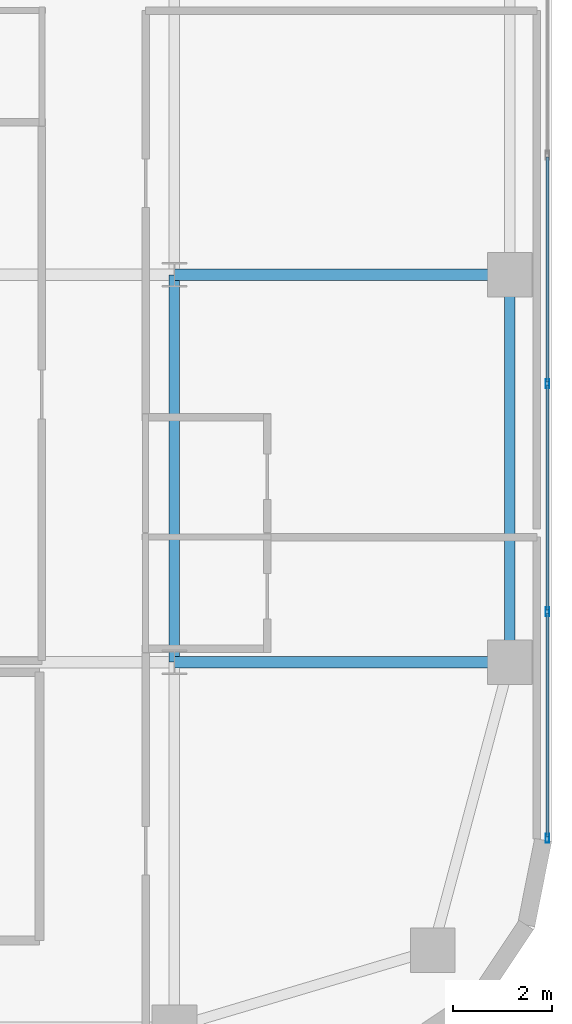
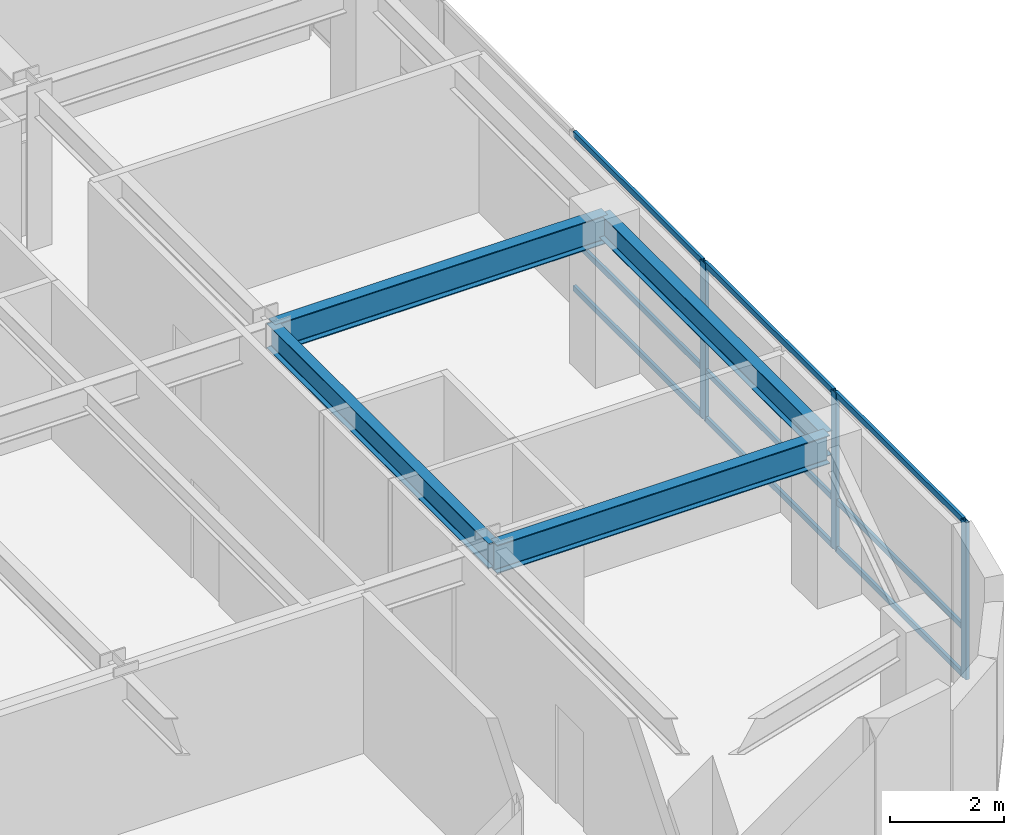
# One storey, part 9 of 25: 12 members, 4 beams, 1 element without a shape of its own.
"""IFC4 building model written with IfcOpenShell, lengths in metres."""

from ifc_helpers import new_model, si_unit, direction, frame, origin, origin_2d, place, context, subcontext, project, spatial, hollow_rectangle, i_section, extrude, source, transform, mapped, material, layer, layer_set, material_profile, profile_set, type_object, type_shapes, element, aggregate, save


model = new_model("IFC4")

# Units and contexts
model_context = context("Model", 3, precision=1e-05, world=origin(), true_north=direction((0.0, 1.0)))
body_context = subcontext(model_context, "Body", "Model", "MODEL_VIEW")
ifc_project = project(units=[si_unit("LENGTHUNIT", "METRE"), si_unit("AREAUNIT", "SQUARE_METRE"), si_unit("VOLUMEUNIT", "CUBIC_METRE"), si_unit("PLANEANGLEUNIT", "RADIAN"), si_unit("MASSUNIT", "GRAM", prefix="KILO")], contexts=[model_context])

# Site, building, storey
site_placement = place(None, origin())
site = spatial("IfcSite", under=ifc_project, at=site_placement, CompositionType="ELEMENT")
building_placement = place(site_placement, origin())
building = spatial("IfcBuilding", under=site, at=building_placement, Name="Tolvann Quenvar Hotel", CompositionType="ELEMENT")
storey_placement = place(building_placement, frame((0.0, 0.0, 122.199951171875)))
storey = spatial("IfcBuildingStorey", under=building, at=storey_placement, Name="L31", CompositionType="ELEMENT", Elevation=122.199951171875)

# Beams
ifc_material_1 = material(Name="Steel Grade 350", Category="steel")
ifc_material_profile_1 = material_profile(ifc_material_1, i_section(OverallWidth=0.22900390625, OverallDepth=0.612060546875, WebThickness=0.011962890625, FlangeThickness=0.01953125, FilletRadius=0.013916015625, at=origin_2d()), Name="610UB125")
ifc_profile_set_1 = profile_set([ifc_material_profile_1], Name="Steel Grade 350")
beam_type_1 = type_object("IfcBeamType", Name="BM_GIRD_610UB125", PredefinedType="BEAM", material=ifc_profile_set_1)
shared_shape_1 = source(origin(), body_context, "Body", "SweptSolid", [
    extrude(i_section(OverallWidth=0.22900390625, OverallDepth=0.612060546875, WebThickness=0.011962890625, FlangeThickness=0.01953125, FilletRadius=0.013916015625, at=origin_2d()), origin(), (0.0, 0.0, 1.0), 6.75),
])
type_shapes(beam_type_1, [shared_shape_1])
for number, where, z_axis, x_axis, name in (
    (1, (49.39990234375, 8.199951171875, 3.06396484375), (1.0, 0.0, 0.0), (0.0, 1.0, 0.0), "BM-L31-EW-3-I3-J3"),
    (2, (49.39990234375, 16.0, 3.06396484375), (1.0, 0.0, 0.0), (0.0, 1.0, 0.0), "BM-L31-EW-4-I4-J4"),
):
    element("IfcBeam", number, at=place(storey_placement, frame(where, z_axis=z_axis, x_axis=x_axis)), inside=storey, type_object=beam_type_1, Name=name, PredefinedType="BEAM", context=body_context, shape_type="MappedRepresentation", body=[
        mapped(shared_shape_1, transform((0.0, 0.0, 0.0), x_axis=(1.0, 0.0, 0.0), y_axis=(0.0, 1.0, 0.0), z_axis=(0.0, 0.0, 1.0), scale=1.0)),
    ])
ifc_material_profile_2 = material_profile(ifc_material_1, i_section(OverallWidth=0.208984375, OverallDepth=0.528076171875, WebThickness=0.009521484375, FlangeThickness=0.01318359375, FilletRadius=0.013916015625, at=origin_2d()), Name="530UB82")
ifc_profile_set_2 = profile_set([ifc_material_profile_2], Name="Steel Grade 350")
beam_type_2 = type_object("IfcBeamType", Name="BM_SPAND_530UB82", PredefinedType="SPANDREL", material=ifc_profile_set_2)
shared_shape_2 = source(origin(), body_context, "Body", "SweptSolid", [
    extrude(i_section(OverallWidth=0.208984375, OverallDepth=0.528076171875, WebThickness=0.009521484375, FlangeThickness=0.01318359375, FilletRadius=0.013916015625, at=origin_2d()), origin(), (0.0, 0.0, 1.0), 7.800048828125),
])
type_shapes(beam_type_2, [shared_shape_2])
beam_1_placement = place(storey_placement, frame((56.14990234375, 8.199951171875, 3.10595703125), z_axis=(0.0, 1.0, 0.0), x_axis=(-1.0, 0.0, 0.0)))
element("IfcBeam", 3, at=beam_1_placement, inside=storey, type_object=beam_type_2, Name="BM-L31-NS-J3-J4", PredefinedType="SPANDREL", context=body_context, shape_type="MappedRepresentation", body=[
    mapped(shared_shape_2, transform((0.0, 0.0, 0.0), x_axis=(1.0, 0.0, 0.0), y_axis=(0.0, 1.0, 0.0), z_axis=(0.0, 0.0, 1.0), scale=1.0)),
])
ifc_material_profile_3 = material_profile(ifc_material_1, i_section(OverallWidth=0.208984375, OverallDepth=0.532958984375, WebThickness=0.01025390625, FlangeThickness=0.015625, FilletRadius=0.013916015625, at=origin_2d()), Name="530UB92")
ifc_profile_set_3 = profile_set([ifc_material_profile_3], Name="Steel Grade 350")
beam_type_3 = type_object("IfcBeamType", Name="BM_GIRD_530UB92", PredefinedType="BEAM", material=ifc_profile_set_3)
shared_shape_3 = source(origin(), body_context, "Body", "SweptSolid", [
    extrude(i_section(OverallWidth=0.208984375, OverallDepth=0.532958984375, WebThickness=0.01025390625, FlangeThickness=0.015625, FilletRadius=0.013916015625, at=origin_2d()), origin(), (0.0, 0.0, 1.0), 7.800048828125),
])
type_shapes(beam_type_3, [shared_shape_3])
beam_2_placement = place(storey_placement, frame((49.39990234375, 8.199951171875, 3.103515625), z_axis=(0.0, 1.0, 0.0), x_axis=(-1.0, 0.0, 0.0)))
element("IfcBeam", 4, at=beam_2_placement, inside=storey, type_object=beam_type_3, Name="BM-L31-NS-I3-I4", PredefinedType="BEAM", context=body_context, shape_type="MappedRepresentation", body=[
    mapped(shared_shape_3, transform((0.0, 0.0, 0.0), x_axis=(1.0, 0.0, 0.0), y_axis=(0.0, 1.0, 0.0), z_axis=(0.0, 0.0, 1.0), scale=1.0)),
])

# Curtain wall, members
ifc_material_2 = material(Name="Thermally broken anodised architectural aluminium 6063-T6 and laminated low-E glass", Category="aluminium")
ifc_layer = layer(ifc_material_2, 0.179931640625)
ifc_layer_set = layer_set([ifc_layer], Name="Thermally broken anodised architectural aluminium 6063-T6 and laminated low-E glass")
curtain_wall_type = type_object("IfcCurtainWallType", Name="CW_SYS_BAND_04", PredefinedType="USERDEFINED", material=ifc_layer_set)
curtain_wall_placement = place(storey_placement, origin())
curtain_wall = element("IfcCurtainWall", 5, at=curtain_wall_placement, inside=storey, type_object=curtain_wall_type, Name="Curtain Wall CW-BAND-04 (CWR-L31-E13)", ObjectType="UNITISED CURTAIN WALL", PredefinedType="USERDEFINED")
ifc_material_3 = material(Name="Anodised architectural aluminium 6063-T6 framing", Category="aluminium")
ifc_material_profile_4 = material_profile(ifc_material_3, hollow_rectangle(XDim=0.070068359375, YDim=0.179931640625, WallThickness=0.00390625, at=origin_2d()), Name="180x70x4RHS")
ifc_profile_set_4 = profile_set([ifc_material_profile_4], Name="Anodised architectural aluminium 6063-T6 framing")
member_type_1 = type_object("IfcMemberType", Name="CW_MULL_180x70", PredefinedType="MULLION", material=ifc_profile_set_4)
shared_shape_4 = source(origin(), body_context, "Body", "SweptSolid", [
    extrude(hollow_rectangle(XDim=0.070068359375, YDim=0.179931640625, WallThickness=0.00390625, at=origin_2d()), origin(), (0.0, 0.0, 1.0), 3.3701171875),
])
type_shapes(member_type_1, [shared_shape_4])
member_1_placement = place(storey_placement, frame((56.909912109375, 4.652099609375, 0.0), z_axis=(0.0, 0.0, 1.0), x_axis=(-1.0, 0.0, 0.0)))
member_1 = element("IfcMember", 6, at=member_1_placement, type_object=member_type_1, Name="CW-BAND-04 mullion 1", PredefinedType="MULLION", context=body_context, shape_type="MappedRepresentation", body=[
    mapped(shared_shape_4, transform((0.0, 0.0, 0.0), x_axis=(1.0, 0.0, 0.0), y_axis=(0.0, 1.0, 0.0), z_axis=(0.0, 0.0, 1.0), scale=1.0)),
])
member_2_placement = place(storey_placement, frame((56.909912109375, 9.212890625, 0.0), z_axis=(0.0, 0.0, 1.0), x_axis=(-1.0, 0.0, 0.0)))
member_2 = element("IfcMember", 7, at=member_2_placement, type_object=member_type_1, Name="CW-BAND-04 mullion 2", PredefinedType="MULLION", context=body_context, shape_type="MappedRepresentation", body=[
    mapped(shared_shape_4, transform((0.0, 0.0, 0.0), x_axis=(1.0, 0.0, 0.0), y_axis=(0.0, 1.0, 0.0), z_axis=(0.0, 0.0, 1.0), scale=1.0)),
])
member_3_placement = place(storey_placement, frame((56.909912109375, 13.80859375, 0.0), z_axis=(0.0, 0.0, 1.0), x_axis=(-1.0, 0.0, 0.0)))
member_3 = element("IfcMember", 8, at=member_3_placement, type_object=member_type_1, Name="CW-BAND-04 mullion 3", PredefinedType="MULLION", context=body_context, shape_type="MappedRepresentation", body=[
    mapped(shared_shape_4, transform((0.0, 0.0, 0.0), x_axis=(1.0, 0.0, 0.0), y_axis=(0.0, 1.0, 0.0), z_axis=(0.0, 0.0, 1.0), scale=1.0)),
])
ifc_material_profile_5 = material_profile(ifc_material_3, hollow_rectangle(XDim=0.06005859375, YDim=0.1201171875, WallThickness=0.00341796875, at=origin_2d()), Name="120x60x3.5RHS")
ifc_profile_set_5 = profile_set([ifc_material_profile_5], Name="Anodised architectural aluminium 6063-T6 framing")
member_type_2 = type_object("IfcMemberType", Name="CW_TRAN_120x60", PredefinedType="USERDEFINED", material=ifc_profile_set_5)
shared_shape_5 = source(origin(), body_context, "Body", "SweptSolid", [
    extrude(hollow_rectangle(XDim=0.06005859375, YDim=0.1201171875, WallThickness=0.00341796875, at=origin_2d()), origin(), (0.0, 0.0, 1.0), 4.49072265625),
])
member_4_placement = place(storey_placement, frame((56.909912109375, 4.687255859375, 0.030029296875), z_axis=(0.0, 1.0, 0.0), x_axis=(-1.0, 0.0, 0.0)))
member_4 = element("IfcMember", 9, at=member_4_placement, type_object=member_type_2, Name="CW-BAND-04 transom 1.1", ObjectType="TRANSOM", PredefinedType="USERDEFINED", context=body_context, shape_type="MappedRepresentation", body=[
    mapped(shared_shape_5, transform((0.0, 0.0, 0.0), x_axis=(1.0, 0.0, 0.0), y_axis=(0.0, 1.0, 0.0), z_axis=(0.0, 0.0, 1.0), scale=1.0)),
])
member_5_placement = place(storey_placement, frame((56.909912109375, 4.687255859375, 1.050048828125), z_axis=(0.0, 1.0, 0.0), x_axis=(-1.0, 0.0, 0.0)))
member_5 = element("IfcMember", 10, at=member_5_placement, type_object=member_type_2, Name="CW-BAND-04 transom 1.2", ObjectType="TRANSOM", PredefinedType="USERDEFINED", context=body_context, shape_type="MappedRepresentation", body=[
    mapped(shared_shape_5, transform((0.0, 0.0, 0.0), x_axis=(1.0, 0.0, 0.0), y_axis=(0.0, 1.0, 0.0), z_axis=(0.0, 0.0, 1.0), scale=1.0)),
])
member_6_placement = place(storey_placement, frame((56.909912109375, 4.687255859375, 3.340087890625), z_axis=(0.0, 1.0, 0.0), x_axis=(-1.0, 0.0, 0.0)))
member_6 = element("IfcMember", 11, at=member_6_placement, type_object=member_type_2, Name="CW-BAND-04 transom 1.3", ObjectType="TRANSOM", PredefinedType="USERDEFINED", context=body_context, shape_type="MappedRepresentation", body=[
    mapped(shared_shape_5, transform((0.0, 0.0, 0.0), x_axis=(1.0, 0.0, 0.0), y_axis=(0.0, 1.0, 0.0), z_axis=(0.0, 0.0, 1.0), scale=1.0)),
])
shared_shape_6 = source(origin(), body_context, "Body", "SweptSolid", [
    extrude(hollow_rectangle(XDim=0.06005859375, YDim=0.1201171875, WallThickness=0.00341796875, at=origin_2d()), origin(), (0.0, 0.0, 1.0), 4.52587890625),
])
type_shapes(member_type_2, [shared_shape_5, shared_shape_6])
member_7_placement = place(storey_placement, frame((56.909912109375, 9.247802734375, 0.030029296875), z_axis=(0.0, 1.0, 0.0), x_axis=(-1.0, 0.0, 0.0)))
member_7 = element("IfcMember", 12, at=member_7_placement, type_object=member_type_2, Name="CW-BAND-04 transom 2.1", ObjectType="TRANSOM", PredefinedType="USERDEFINED", context=body_context, shape_type="MappedRepresentation", body=[
    mapped(shared_shape_6, transform((0.0, 0.0, 0.0), x_axis=(1.0, 0.0, 0.0), y_axis=(0.0, 1.0, 0.0), z_axis=(0.0, 0.0, 1.0), scale=1.0)),
])
member_8_placement = place(storey_placement, frame((56.909912109375, 9.247802734375, 1.050048828125), z_axis=(0.0, 1.0, 0.0), x_axis=(-1.0, 0.0, 0.0)))
member_8 = element("IfcMember", 13, at=member_8_placement, type_object=member_type_2, Name="CW-BAND-04 transom 2.2", ObjectType="TRANSOM", PredefinedType="USERDEFINED", context=body_context, shape_type="MappedRepresentation", body=[
    mapped(shared_shape_6, transform((0.0, 0.0, 0.0), x_axis=(1.0, 0.0, 0.0), y_axis=(0.0, 1.0, 0.0), z_axis=(0.0, 0.0, 1.0), scale=1.0)),
])
member_9_placement = place(storey_placement, frame((56.909912109375, 9.247802734375, 3.340087890625), z_axis=(0.0, 1.0, 0.0), x_axis=(-1.0, 0.0, 0.0)))
member_9 = element("IfcMember", 14, at=member_9_placement, type_object=member_type_2, Name="CW-BAND-04 transom 2.3", ObjectType="TRANSOM", PredefinedType="USERDEFINED", context=body_context, shape_type="MappedRepresentation", body=[
    mapped(shared_shape_6, transform((0.0, 0.0, 0.0), x_axis=(1.0, 0.0, 0.0), y_axis=(0.0, 1.0, 0.0), z_axis=(0.0, 0.0, 1.0), scale=1.0)),
])
member_10_placement = place(storey_placement, frame((56.909912109375, 13.843505859375, 0.030029296875), z_axis=(0.0, 1.0, 0.0), x_axis=(-1.0, 0.0, 0.0)))
member_10 = element("IfcMember", 15, at=member_10_placement, type_object=member_type_2, Name="CW-BAND-04 transom 3.1", ObjectType="TRANSOM", PredefinedType="USERDEFINED", context=body_context, shape_type="MappedRepresentation", body=[
    mapped(shared_shape_6, transform((0.0, 0.0, 0.0), x_axis=(1.0, 0.0, 0.0), y_axis=(0.0, 1.0, 0.0), z_axis=(0.0, 0.0, 1.0), scale=1.0)),
])
member_11_placement = place(storey_placement, frame((56.909912109375, 13.843505859375, 1.050048828125), z_axis=(0.0, 1.0, 0.0), x_axis=(-1.0, 0.0, 0.0)))
member_11 = element("IfcMember", 16, at=member_11_placement, type_object=member_type_2, Name="CW-BAND-04 transom 3.2", ObjectType="TRANSOM", PredefinedType="USERDEFINED", context=body_context, shape_type="MappedRepresentation", body=[
    mapped(shared_shape_6, transform((0.0, 0.0, 0.0), x_axis=(1.0, 0.0, 0.0), y_axis=(0.0, 1.0, 0.0), z_axis=(0.0, 0.0, 1.0), scale=1.0)),
])
member_12_placement = place(storey_placement, frame((56.909912109375, 13.843505859375, 3.340087890625), z_axis=(0.0, 1.0, 0.0), x_axis=(-1.0, 0.0, 0.0)))
member_12 = element("IfcMember", 17, at=member_12_placement, type_object=member_type_2, Name="CW-BAND-04 transom 3.3", ObjectType="TRANSOM", PredefinedType="USERDEFINED", context=body_context, shape_type="MappedRepresentation", body=[
    mapped(shared_shape_6, transform((0.0, 0.0, 0.0), x_axis=(1.0, 0.0, 0.0), y_axis=(0.0, 1.0, 0.0), z_axis=(0.0, 0.0, 1.0), scale=1.0)),
])
aggregate(curtain_wall, [member_1, member_2, member_3, member_4, member_5, member_6, member_7, member_8, member_9, member_10, member_11, member_12])

save(model, "model.ifc")
